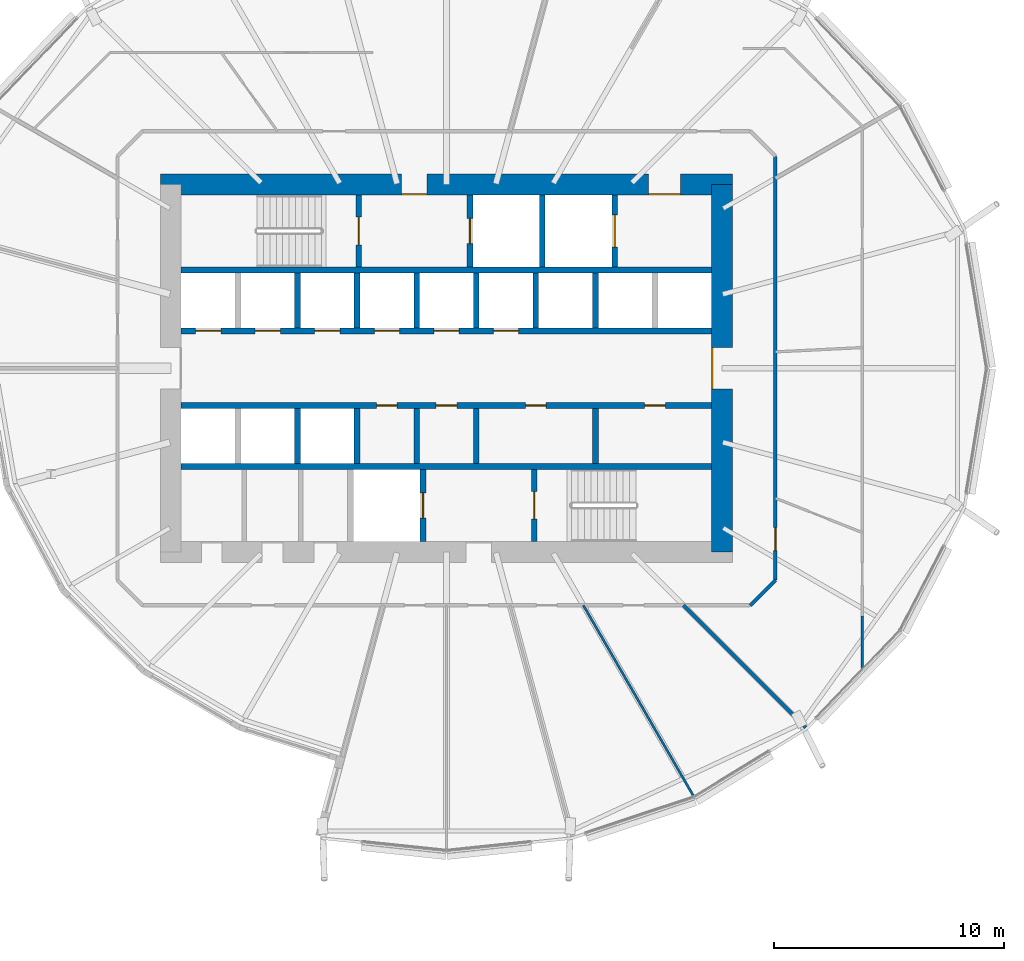
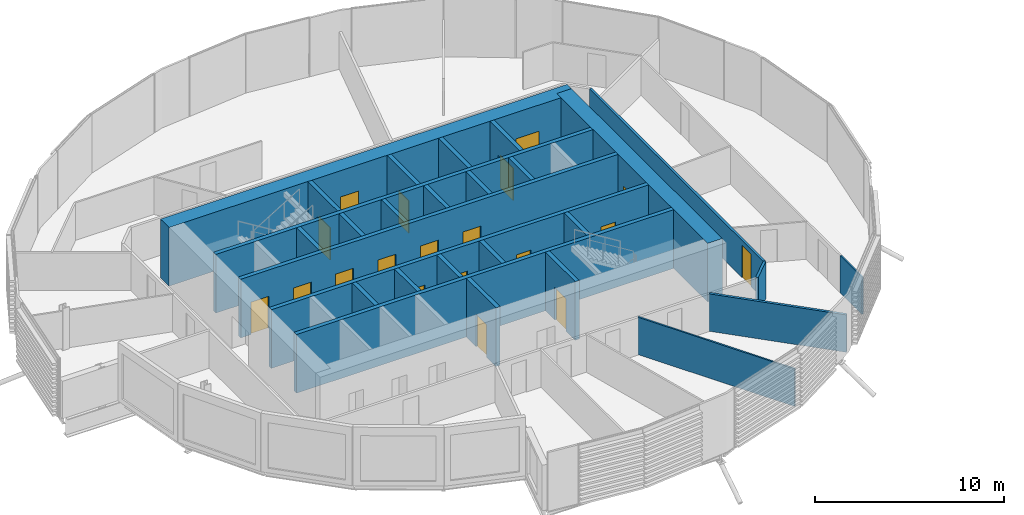
# One storey, part 21 of 38: 28 walls, 19 doors, 19 openings.
"""IFC4 building model written with IfcOpenShell, lengths in metres."""

from ifc_helpers import new_model, si_unit, direction, frame, frame_2d, origin, place, context, subcontext, project, spatial, rectangle, extrude, material, layer, layer_set, type_object, element, fill, save


model = new_model("IFC4")

# Units and contexts
model_context = context("Model", 3, precision=1e-05, world=origin(), true_north=direction((0.0, 1.0)))
body_context = subcontext(model_context, "Body", "Model", "MODEL_VIEW")
ifc_project = project(units=[si_unit("LENGTHUNIT", "METRE"), si_unit("AREAUNIT", "SQUARE_METRE"), si_unit("VOLUMEUNIT", "CUBIC_METRE"), si_unit("PLANEANGLEUNIT", "RADIAN"), si_unit("MASSUNIT", "GRAM", prefix="KILO")], contexts=[model_context])

# Site, building, storey
site_placement = place(None, origin())
site = spatial("IfcSite", under=ifc_project, at=site_placement, CompositionType="ELEMENT")
building_placement = place(site_placement, origin())
building = spatial("IfcBuilding", under=site, at=building_placement, Name="Rimbun Link Towers", CompositionType="ELEMENT")
storey_placement = place(building_placement, frame((0.0, 0.0, 68.0)))
storey = spatial("IfcBuildingStorey", under=building, at=storey_placement, Name="L16", CompositionType="ELEMENT", Elevation=68.0)

# Wall, openings, doors
ifc_material_1 = material(Name="Concrete C60/75", Category="concrete")
ifc_layer_1 = layer(ifc_material_1, 0.89990234375)
ifc_layer_set_1 = layer_set([ifc_layer_1], Name="Core shear wall 900")
wall_type_1 = type_object("IfcWallType", Name="Core shear wall 900", PredefinedType="SHEAR", material=ifc_layer_set_1)
wall_1_placement = place(storey_placement, frame((-44.199951171875, 8.0, 0.0), z_axis=(0.0, 0.0, 1.0), x_axis=(1.0, 0.0, 0.0)))
wall_1 = element("IfcWall", 1, at=wall_1_placement, inside=storey, type_object=wall_type_1, Name="L16 T1 core wall N", PredefinedType="SHEAR", context=body_context, shape_type="SweptSolid", body=[
    extrude(rectangle(XDim=24.89990234375, YDim=0.89990234375, at=frame_2d((12.449951171875, 0.0))), origin(), (0.0, 0.0, 1.0), 3.800048828125),
])
opening_1_placement = place(wall_1_placement, frame((10.5, 0.0, 0.0)))
opening_1 = element("IfcOpeningElement", 2, at=opening_1_placement, cuts=wall_1, Name="Opening C1DCF01N", PredefinedType="OPENING", context=body_context, shape_type="SweptSolid", body=[
    extrude(rectangle(XDim=1.10009765625, YDim=2.10009765625, at=frame_2d((0.550048828125, 1.050048828125))), frame((0.0, 0.4599609375, 0.0), z_axis=(0.0, -1.0, 0.0), x_axis=(1.0, 0.0, 0.0)), (0.0, 0.0, 1.0), 0.919921875),
])
opening_2_placement = place(wall_1_placement, frame((21.25, 0.0, 0.0)))
opening_2 = element("IfcOpeningElement", 3, at=opening_2_placement, cuts=wall_1, Name="Opening C1DSL02N", PredefinedType="OPENING", context=body_context, shape_type="SweptSolid", body=[
    extrude(rectangle(XDim=1.39990234375, YDim=2.10009765625, at=frame_2d((0.699951171875, 1.050048828125))), frame((0.0, 0.4599609375, 0.0), z_axis=(0.0, -1.0, 0.0), x_axis=(1.0, 0.0, 0.0)), (0.0, 0.0, 1.0), 0.919921875),
])
ifc_material_2 = material(Name="Steel fire door set", Category="steel")
door_type_1 = type_object("IfcDoorType", Name="Core fire door single", OperationType="SINGLE_SWING_LEFT", PredefinedType="DOOR", material=ifc_material_2)
door_1_placement = place(opening_1_placement, origin())
door_1 = element("IfcDoor", 4, at=door_1_placement, inside=storey, type_object=door_type_1, Name="L16 T1 firefighting lobby n door", OperationType="SINGLE_SWING_LEFT", OverallHeight=2.10009765625, OverallWidth=1.10009765625, PredefinedType="DOOR", context=body_context, shape_type="SweptSolid", body=[
    extrude(rectangle(XDim=1.10009765625, YDim=2.10009765625, at=frame_2d((0.550048828125, 1.050048828125))), frame((0.0, -0.39990234375, 0.0), z_axis=(0.0, -1.0, 0.0), x_axis=(1.0, 0.0, 0.0)), (0.0, 0.0, 1.0), 0.050048828125),
])
fill(opening_1, door_1)
ifc_material_3 = material(Name="Steel fire door set", Category="steel")
door_type_2 = type_object("IfcDoorType", Name="Service lobby door double", OperationType="DOUBLE_DOOR_SINGLE_SWING", PredefinedType="DOOR", material=ifc_material_3)
door_2_placement = place(opening_2_placement, origin())
door_2 = element("IfcDoor", 5, at=door_2_placement, inside=storey, type_object=door_type_2, Name="L16 T1 service lobby door", OperationType="DOUBLE_DOOR_SINGLE_SWING", OverallHeight=2.10009765625, OverallWidth=1.39990234375, PredefinedType="DOOR", context=body_context, shape_type="SweptSolid", body=[
    extrude(rectangle(XDim=1.39990234375, YDim=2.10009765625, at=frame_2d((0.699951171875, 1.050048828125))), frame((0.0, -0.39990234375, 0.0), z_axis=(0.0, -1.0, 0.0), x_axis=(1.0, 0.0, 0.0)), (0.0, 0.0, 1.0), 0.050048828125),
])
fill(opening_2, door_2)

# Wall, opening, door
wall_2_placement = place(storey_placement, frame((-19.75, -8.0, 0.0), z_axis=(0.0, 0.0, 1.0), x_axis=(0.0, 1.0, 0.0)))
wall_2 = element("IfcWall", 6, at=wall_2_placement, inside=storey, type_object=wall_type_1, Name="L16 T1 core wall E", PredefinedType="SHEAR", context=body_context, shape_type="SweptSolid", body=[
    extrude(rectangle(XDim=16.0, YDim=0.89990234375, at=frame_2d((8.0, 0.0))), origin(), (0.0, 0.0, 1.0), 3.800048828125),
])
opening_3_placement = place(wall_2_placement, frame((7.10009765625, 0.0, 0.0)))
opening_3 = element("IfcOpeningElement", 7, at=opening_3_placement, cuts=wall_2, Name="Opening C1DCL01E", PredefinedType="OPENING", context=body_context, shape_type="SweptSolid", body=[
    extrude(rectangle(XDim=1.800048828125, YDim=2.10009765625, at=frame_2d((0.89990234375, 1.050048828125))), frame((0.0, 0.4599609375, 0.0), z_axis=(0.0, -1.0, 0.0), x_axis=(1.0, 0.0, 0.0)), (0.0, 0.0, 1.0), 0.919921875),
])
ifc_material_4 = material(Name="Steel fire door set", Category="steel")
door_type_3 = type_object("IfcDoorType", Name="Core lobby door double", OperationType="DOUBLE_DOOR_SINGLE_SWING", PredefinedType="DOOR", material=ifc_material_4)
door_3_placement = place(opening_3_placement, origin())
door_3 = element("IfcDoor", 8, at=door_3_placement, inside=storey, type_object=door_type_3, Name="L16 T1 lift lobby door", OperationType="DOUBLE_DOOR_SINGLE_SWING", OverallHeight=2.10009765625, OverallWidth=1.800048828125, PredefinedType="DOOR", context=body_context, shape_type="SweptSolid", body=[
    extrude(rectangle(XDim=1.800048828125, YDim=2.10009765625, at=frame_2d((0.89990234375, 1.050048828125))), frame((0.0, 0.4501953125, 0.0), z_axis=(0.0, -1.0, 0.0), x_axis=(1.0, 0.0, 0.0)), (0.0, 0.0, 1.0), 0.050048828125),
])
fill(opening_3, door_3)

ifc_material_5 = material(Name="Plasterboard on steel stud, mineral wool", Category="steel")
ifc_layer_2 = layer(ifc_material_5, 0.14990234375)
ifc_layer_set_2 = layer_set([ifc_layer_2], Name="Corridor wall EI 30 150 mm")
wall_type_2 = type_object("IfcWallType", Name="Corridor wall EI 30 150 mm", PredefinedType="PARTITIONING", material=ifc_layer_set_2)
wall_3_placement = place(storey_placement, frame((-17.425048828125, 9.226806640625, 0.0), z_axis=(0.0, 0.0, 1.0), x_axis=(0.0, -1.0, 0.0)))
wall_3 = element("IfcWall", 9, at=wall_3_placement, inside=storey, type_object=wall_type_2, Name="Corridor wall EI 30 150 mm", PredefinedType="PARTITIONING", context=body_context, shape_type="SweptSolid", body=[
    extrude(rectangle(XDim=18.45361328125, YDim=0.14990234375, at=frame_2d((9.226806640625, 0.0))), origin(), (0.0, 0.0, 1.0), 2.419921875),
])
opening_4_placement = place(wall_3_placement, frame((16.169921875, 0.0, 0.0)))
opening_4 = element("IfcOpeningElement", 10, at=opening_4_placement, cuts=wall_3, Name="Opening D01", PredefinedType="OPENING", context=body_context, shape_type="SweptSolid", body=[
    extrude(rectangle(XDim=1.0, YDim=2.10009765625, at=frame_2d((0.5, 1.050048828125))), frame((0.0, 0.0849609375, 0.0), z_axis=(0.0, -1.0, 0.0), x_axis=(1.0, 0.0, 0.0)), (0.0, 0.0, 1.0), 0.169921875),
])
ifc_material_6 = material(Name="Fire-resisting timber door leaf", Category="wood")
door_type_4 = type_object("IfcDoorType", Name="Fire door FD30S 1000", OperationType="NOTDEFINED", PredefinedType="DOOR", material=ifc_material_6)
door_4_placement = place(opening_4_placement, origin())
door_4 = element("IfcDoor", 11, at=door_4_placement, inside=storey, type_object=door_type_4, Name="Fire door FD30S 1000 to Customer lobby", OperationType="SINGLE_SWING_LEFT", OverallHeight=2.10009765625, OverallWidth=1.0, PredefinedType="DOOR", context=body_context, shape_type="SweptSolid", body=[
    extrude(rectangle(XDim=1.0, YDim=2.10009765625, at=frame_2d((0.5, 1.050048828125))), frame((0.0, 0.02490234375, 0.0), z_axis=(0.0, -1.0, 0.0), x_axis=(1.0, 0.0, 0.0)), (0.0, 0.0, 1.0), 0.050048828125),
])
fill(opening_4, door_4)

# Walls
wall_4_placement = place(storey_placement, frame((-18.523193359375, -10.324951171875, 0.0), z_axis=(0.0, 0.0, 1.0), x_axis=(0.707106781187, 0.707106781187, 0.0)))
element("IfcWall", 12, at=wall_4_placement, inside=storey, type_object=wall_type_2, Name="Corridor wall EI 30 150 mm", PredefinedType="PARTITIONING", context=body_context, shape_type="SweptSolid", body=[
    extrude(rectangle(XDim=1.552978515625, YDim=0.14990234375, at=frame_2d((0.7763671875, 0.0))), origin(), (0.0, 0.0, 1.0), 2.419921875),
])
ifc_material_7 = material(Name="Plasterboard on steel stud", Category="steel")
ifc_layer_3 = layer(ifc_material_7, 0.10009765625)
ifc_layer_set_3 = layer_set([ifc_layer_3], Name="Plasterboard partition 100 mm")
wall_type_3 = type_object("IfcWallType", Name="Plasterboard partition 100 mm", PredefinedType="PARTITIONING", material=ifc_layer_set_3)
wall_5_placement = place(storey_placement, frame((-20.985107421875, -18.6455078125, 0.0), z_axis=(0.0, 0.0, 1.0), x_axis=(-0.499987144685, 0.866032825677, 0.0)))
element("IfcWall", 13, at=wall_5_placement, inside=storey, type_object=wall_type_3, Name="Plasterboard partition 100 mm", PredefinedType="PARTITIONING", context=body_context, shape_type="SweptSolid", body=[
    extrude(rectangle(XDim=9.607666015625, YDim=0.10009765625, at=frame_2d((4.8037109375, 0.0))), origin(), (0.0, 0.0, 1.0), 2.419921875),
])
wall_6_placement = place(storey_placement, frame((-13.64501953125, -13.084228515625, 0.0), z_axis=(0.0, 0.0, 1.0), x_axis=(0.0, 1.0, 0.0)))
element("IfcWall", 14, at=wall_6_placement, inside=storey, type_object=wall_type_3, Name="Plasterboard partition 100 mm", PredefinedType="PARTITIONING", context=body_context, shape_type="SweptSolid", body=[
    extrude(rectangle(XDim=2.291748046875, YDim=0.10009765625, at=frame_2d((1.14599609375, 0.0))), origin(), (0.0, 0.0, 1.0), 2.419921875),
])
ifc_material_8 = material(Name="Concrete C60/75", Category="concrete")
ifc_layer_4 = layer(ifc_material_8, 0.25)
ifc_layer_set_4 = layer_set([ifc_layer_4], Name="Shaft wall 250")
wall_type_4 = type_object("IfcWallType", Name="Shaft wall 250", PredefinedType="SHEAR", material=ifc_layer_set_4)
for number, where, z_axis, x_axis, name in (
    (15, (-43.300048828125, 4.27490234375, 0.0), (0.0, 0.0, 1.0), (1.0, 0.0, 0.0), "L16 T1 core wall BN"),
    (16, (-43.300048828125, -4.27490234375, 0.0), (0.0, 0.0, 1.0), (1.0, 0.0, 0.0), "L16 T1 core wall BS"),
):
    element("IfcWall", number, at=place(storey_placement, frame(where, z_axis=z_axis, x_axis=x_axis)), inside=storey, type_object=wall_type_4, Name=name, PredefinedType="SHEAR", context=body_context, shape_type="SweptSolid", body=[
        extrude(rectangle(XDim=23.10009765625, YDim=0.25, at=frame_2d((11.550048828125, 0.0))), origin(), (0.0, 0.0, 1.0), 3.800048828125),
    ])

# Wall, openings, doors
wall_7_placement = place(storey_placement, frame((-43.300048828125, 1.625, 0.0), z_axis=(0.0, 0.0, 1.0), x_axis=(1.0, 0.0, 0.0)))
wall_7 = element("IfcWall", 17, at=wall_7_placement, inside=storey, type_object=wall_type_4, Name="L16 T1 core wall FN", PredefinedType="SHEAR", context=body_context, shape_type="SweptSolid", body=[
    extrude(rectangle(XDim=23.10009765625, YDim=0.25, at=frame_2d((11.550048828125, 0.0))), origin(), (0.0, 0.0, 1.0), 3.800048828125),
])
opening_5_placement = place(wall_7_placement, frame((0.622314453125, 0.0, 0.0)))
opening_5 = element("IfcOpeningElement", 18, at=opening_5_placement, cuts=wall_7, Name="Opening LD-T1-LR1", PredefinedType="OPENING", context=body_context, shape_type="SweptSolid", body=[
    extrude(rectangle(XDim=1.10009765625, YDim=2.10009765625, at=frame_2d((0.550048828125, 1.050048828125))), frame((0.0, 0.135009765625, 0.0), z_axis=(0.0, -1.0, 0.0), x_axis=(1.0, 0.0, 0.0)), (0.0, 0.0, 1.0), 0.27001953125),
])
opening_6_placement = place(wall_7_placement, frame((3.216796875, 0.0, 0.0)))
opening_6 = element("IfcOpeningElement", 19, at=opening_6_placement, cuts=wall_7, Name="Opening LD-T1-LR2", PredefinedType="OPENING", context=body_context, shape_type="SweptSolid", body=[
    extrude(rectangle(XDim=1.10009765625, YDim=2.10009765625, at=frame_2d((0.550048828125, 1.050048828125))), frame((0.0, 0.135009765625, 0.0), z_axis=(0.0, -1.0, 0.0), x_axis=(1.0, 0.0, 0.0)), (0.0, 0.0, 1.0), 0.27001953125),
])
opening_7_placement = place(wall_7_placement, frame((5.81103515625, 0.0, 0.0)))
opening_7 = element("IfcOpeningElement", 20, at=opening_7_placement, cuts=wall_7, Name="Opening LD-T1-LR3", PredefinedType="OPENING", context=body_context, shape_type="SweptSolid", body=[
    extrude(rectangle(XDim=1.10009765625, YDim=2.10009765625, at=frame_2d((0.550048828125, 1.050048828125))), frame((0.0, 0.135009765625, 0.0), z_axis=(0.0, -1.0, 0.0), x_axis=(1.0, 0.0, 0.0)), (0.0, 0.0, 1.0), 0.27001953125),
])
opening_8_placement = place(wall_7_placement, frame((8.405517578125, 0.0, 0.0)))
opening_8 = element("IfcOpeningElement", 21, at=opening_8_placement, cuts=wall_7, Name="Opening LD-T1-LR4", PredefinedType="OPENING", context=body_context, shape_type="SweptSolid", body=[
    extrude(rectangle(XDim=1.10009765625, YDim=2.10009765625, at=frame_2d((0.550048828125, 1.050048828125))), frame((0.0, 0.135009765625, 0.0), z_axis=(0.0, -1.0, 0.0), x_axis=(1.0, 0.0, 0.0)), (0.0, 0.0, 1.0), 0.27001953125),
])
opening_9_placement = place(wall_7_placement, frame((11.0, 0.0, 0.0)))
opening_9 = element("IfcOpeningElement", 22, at=opening_9_placement, cuts=wall_7, Name="Opening LD-T1-LR5", PredefinedType="OPENING", context=body_context, shape_type="SweptSolid", body=[
    extrude(rectangle(XDim=1.10009765625, YDim=2.10009765625, at=frame_2d((0.550048828125, 1.050048828125))), frame((0.0, 0.135009765625, 0.0), z_axis=(0.0, -1.0, 0.0), x_axis=(1.0, 0.0, 0.0)), (0.0, 0.0, 1.0), 0.27001953125),
])
opening_10_placement = place(wall_7_placement, frame((13.594482421875, 0.0, 0.0)))
opening_10 = element("IfcOpeningElement", 23, at=opening_10_placement, cuts=wall_7, Name="Opening LD-T1-LR6", PredefinedType="OPENING", context=body_context, shape_type="SweptSolid", body=[
    extrude(rectangle(XDim=1.10009765625, YDim=2.10009765625, at=frame_2d((0.550048828125, 1.050048828125))), frame((0.0, 0.135009765625, 0.0), z_axis=(0.0, -1.0, 0.0), x_axis=(1.0, 0.0, 0.0)), (0.0, 0.0, 1.0), 0.27001953125),
])
ifc_material_9 = material(Name="Stainless steel grade 316", Category="steel")
door_type_5 = type_object("IfcDoorType", Name="Lift landing door", OperationType="DOUBLE_DOOR_SLIDING", PredefinedType="DOOR", material=ifc_material_9)
door_5_placement = place(opening_5_placement, origin())
door_5 = element("IfcDoor", 24, at=door_5_placement, inside=storey, type_object=door_type_5, Name="L16 T1 lift LR1 landing door", OperationType="DOUBLE_DOOR_SLIDING", OverallHeight=2.10009765625, OverallWidth=1.10009765625, PredefinedType="DOOR", context=body_context, shape_type="SweptSolid", body=[
    extrude(rectangle(XDim=1.10009765625, YDim=2.10009765625, at=frame_2d((0.550048828125, 1.050048828125))), frame((0.0, 0.02490234375, 0.0), z_axis=(0.0, -1.0, 0.0), x_axis=(1.0, 0.0, 0.0)), (0.0, 0.0, 1.0), 0.050048828125),
])
fill(opening_5, door_5)
door_6_placement = place(opening_6_placement, origin())
door_6 = element("IfcDoor", 25, at=door_6_placement, inside=storey, type_object=door_type_5, Name="L16 T1 lift LR2 landing door", OperationType="DOUBLE_DOOR_SLIDING", OverallHeight=2.10009765625, OverallWidth=1.10009765625, PredefinedType="DOOR", context=body_context, shape_type="SweptSolid", body=[
    extrude(rectangle(XDim=1.10009765625, YDim=2.10009765625, at=frame_2d((0.550048828125, 1.050048828125))), frame((0.0, 0.02490234375, 0.0), z_axis=(0.0, -1.0, 0.0), x_axis=(1.0, 0.0, 0.0)), (0.0, 0.0, 1.0), 0.050048828125),
])
fill(opening_6, door_6)
door_7_placement = place(opening_7_placement, origin())
door_7 = element("IfcDoor", 26, at=door_7_placement, inside=storey, type_object=door_type_5, Name="L16 T1 lift LR3 landing door", OperationType="DOUBLE_DOOR_SLIDING", OverallHeight=2.10009765625, OverallWidth=1.10009765625, PredefinedType="DOOR", context=body_context, shape_type="SweptSolid", body=[
    extrude(rectangle(XDim=1.10009765625, YDim=2.10009765625, at=frame_2d((0.550048828125, 1.050048828125))), frame((0.0, 0.02490234375, 0.0), z_axis=(0.0, -1.0, 0.0), x_axis=(1.0, 0.0, 0.0)), (0.0, 0.0, 1.0), 0.050048828125),
])
fill(opening_7, door_7)
door_8_placement = place(opening_8_placement, origin())
door_8 = element("IfcDoor", 27, at=door_8_placement, inside=storey, type_object=door_type_5, Name="L16 T1 lift LR4 landing door", OperationType="DOUBLE_DOOR_SLIDING", OverallHeight=2.10009765625, OverallWidth=1.10009765625, PredefinedType="DOOR", context=body_context, shape_type="SweptSolid", body=[
    extrude(rectangle(XDim=1.10009765625, YDim=2.10009765625, at=frame_2d((0.550048828125, 1.050048828125))), frame((0.0, 0.02490234375, 0.0), z_axis=(0.0, -1.0, 0.0), x_axis=(1.0, 0.0, 0.0)), (0.0, 0.0, 1.0), 0.050048828125),
])
fill(opening_8, door_8)
door_9_placement = place(opening_9_placement, origin())
door_9 = element("IfcDoor", 28, at=door_9_placement, inside=storey, type_object=door_type_5, Name="L16 T1 lift LR5 landing door", OperationType="DOUBLE_DOOR_SLIDING", OverallHeight=2.10009765625, OverallWidth=1.10009765625, PredefinedType="DOOR", context=body_context, shape_type="SweptSolid", body=[
    extrude(rectangle(XDim=1.10009765625, YDim=2.10009765625, at=frame_2d((0.550048828125, 1.050048828125))), frame((0.0, 0.02490234375, 0.0), z_axis=(0.0, -1.0, 0.0), x_axis=(1.0, 0.0, 0.0)), (0.0, 0.0, 1.0), 0.050048828125),
])
fill(opening_9, door_9)
door_10_placement = place(opening_10_placement, origin())
door_10 = element("IfcDoor", 29, at=door_10_placement, inside=storey, type_object=door_type_5, Name="L16 T1 lift LR6 landing door", OperationType="DOUBLE_DOOR_SLIDING", OverallHeight=2.10009765625, OverallWidth=1.10009765625, PredefinedType="DOOR", context=body_context, shape_type="SweptSolid", body=[
    extrude(rectangle(XDim=1.10009765625, YDim=2.10009765625, at=frame_2d((0.550048828125, 1.050048828125))), frame((0.0, 0.02490234375, 0.0), z_axis=(0.0, -1.0, 0.0), x_axis=(1.0, 0.0, 0.0)), (0.0, 0.0, 1.0), 0.050048828125),
])
fill(opening_10, door_10)

wall_8_placement = place(storey_placement, frame((-43.300048828125, -1.625, 0.0), z_axis=(0.0, 0.0, 1.0), x_axis=(1.0, 0.0, 0.0)))
wall_8 = element("IfcWall", 30, at=wall_8_placement, inside=storey, type_object=wall_type_4, Name="L16 T1 core wall FS", PredefinedType="SHEAR", context=body_context, shape_type="SweptSolid", body=[
    extrude(rectangle(XDim=23.10009765625, YDim=0.25, at=frame_2d((11.550048828125, 0.0))), origin(), (0.0, 0.0, 1.0), 3.800048828125),
])
opening_11_placement = place(wall_8_placement, frame((8.505615234375, 0.0, 0.0)))
opening_11 = element("IfcOpeningElement", 31, at=opening_11_placement, cuts=wall_8, Name="Opening C1DRS01FS", PredefinedType="OPENING", context=body_context, shape_type="SweptSolid", body=[
    extrude(rectangle(XDim=0.89990234375, YDim=2.10009765625, at=frame_2d((0.449951171875, 1.050048828125))), frame((0.0, 0.135009765625, 0.0), z_axis=(0.0, -1.0, 0.0), x_axis=(1.0, 0.0, 0.0)), (0.0, 0.0, 1.0), 0.27001953125),
])
opening_12_placement = place(wall_8_placement, frame((11.10009765625, 0.0, 0.0)))
opening_12 = element("IfcOpeningElement", 32, at=opening_12_placement, cuts=wall_8, Name="Opening C1DRS02FS", PredefinedType="OPENING", context=body_context, shape_type="SweptSolid", body=[
    extrude(rectangle(XDim=0.89990234375, YDim=2.10009765625, at=frame_2d((0.449951171875, 1.050048828125))), frame((0.0, 0.135009765625, 0.0), z_axis=(0.0, -1.0, 0.0), x_axis=(1.0, 0.0, 0.0)), (0.0, 0.0, 1.0), 0.27001953125),
])
opening_13_placement = place(wall_8_placement, frame((14.99169921875, 0.0, 0.0)))
opening_13 = element("IfcOpeningElement", 33, at=opening_13_placement, cuts=wall_8, Name="Opening C1DRS03FS", PredefinedType="OPENING", context=body_context, shape_type="SweptSolid", body=[
    extrude(rectangle(XDim=0.89990234375, YDim=2.10009765625, at=frame_2d((0.449951171875, 1.050048828125))), frame((0.0, 0.135009765625, 0.0), z_axis=(0.0, -1.0, 0.0), x_axis=(1.0, 0.0, 0.0)), (0.0, 0.0, 1.0), 0.27001953125),
])
opening_14_placement = place(wall_8_placement, frame((20.1806640625, 0.0, 0.0)))
opening_14 = element("IfcOpeningElement", 34, at=opening_14_placement, cuts=wall_8, Name="Opening C1DRS04FS", PredefinedType="OPENING", context=body_context, shape_type="SweptSolid", body=[
    extrude(rectangle(XDim=0.89990234375, YDim=2.10009765625, at=frame_2d((0.449951171875, 1.050048828125))), frame((0.0, 0.135009765625, 0.0), z_axis=(0.0, -1.0, 0.0), x_axis=(1.0, 0.0, 0.0)), (0.0, 0.0, 1.0), 0.27001953125),
])
ifc_material_10 = material(Name="Steel fire door set", Category="steel")
door_type_6 = type_object("IfcDoorType", Name="Core riser door", OperationType="SINGLE_SWING_LEFT", PredefinedType="DOOR", material=ifc_material_10)
door_11_placement = place(opening_11_placement, origin())
door_11 = element("IfcDoor", 35, at=door_11_placement, inside=storey, type_object=door_type_6, Name="L16 T1 pantry door", OperationType="SINGLE_SWING_LEFT", OverallHeight=2.10009765625, OverallWidth=0.89990234375, PredefinedType="DOOR", context=body_context, shape_type="SweptSolid", body=[
    extrude(rectangle(XDim=0.89990234375, YDim=2.10009765625, at=frame_2d((0.449951171875, 1.050048828125))), frame((0.0, 0.02490234375, 0.0), z_axis=(0.0, -1.0, 0.0), x_axis=(1.0, 0.0, 0.0)), (0.0, 0.0, 1.0), 0.050048828125),
])
fill(opening_11, door_11)
door_12_placement = place(opening_12_placement, origin())
door_12 = element("IfcDoor", 36, at=door_12_placement, inside=storey, type_object=door_type_6, Name="L16 T1 stationery store door", OperationType="SINGLE_SWING_LEFT", OverallHeight=2.10009765625, OverallWidth=0.89990234375, PredefinedType="DOOR", context=body_context, shape_type="SweptSolid", body=[
    extrude(rectangle(XDim=0.89990234375, YDim=2.10009765625, at=frame_2d((0.449951171875, 1.050048828125))), frame((0.0, 0.02490234375, 0.0), z_axis=(0.0, -1.0, 0.0), x_axis=(1.0, 0.0, 0.0)), (0.0, 0.0, 1.0), 0.050048828125),
])
fill(opening_12, door_12)
door_13_placement = place(opening_13_placement, origin())
door_13 = element("IfcDoor", 37, at=door_13_placement, inside=storey, type_object=door_type_6, Name="L16 T1 server room door", OperationType="SINGLE_SWING_LEFT", OverallHeight=2.10009765625, OverallWidth=0.89990234375, PredefinedType="DOOR", context=body_context, shape_type="SweptSolid", body=[
    extrude(rectangle(XDim=0.89990234375, YDim=2.10009765625, at=frame_2d((0.449951171875, 1.050048828125))), frame((0.0, 0.02490234375, 0.0), z_axis=(0.0, -1.0, 0.0), x_axis=(1.0, 0.0, 0.0)), (0.0, 0.0, 1.0), 0.050048828125),
])
fill(opening_13, door_13)
door_14_placement = place(opening_14_placement, origin())
door_14 = element("IfcDoor", 38, at=door_14_placement, inside=storey, type_object=door_type_6, Name="L16 T1 print room door", OperationType="SINGLE_SWING_LEFT", OverallHeight=2.10009765625, OverallWidth=0.89990234375, PredefinedType="DOOR", context=body_context, shape_type="SweptSolid", body=[
    extrude(rectangle(XDim=0.89990234375, YDim=2.10009765625, at=frame_2d((0.449951171875, 1.050048828125))), frame((0.0, 0.02490234375, 0.0), z_axis=(0.0, -1.0, 0.0), x_axis=(1.0, 0.0, 0.0)), (0.0, 0.0, 1.0), 0.050048828125),
])
fill(opening_14, door_14)

# Walls
for number, where, z_axis, x_axis, name in (
    (39, (-38.236083984375, 1.75, 0.0), (0.0, 0.0, 1.0), (0.0, 1.0, 0.0), "L16 T1 core wall DN1"),
    (40, (-35.6416015625, 1.75, 0.0), (0.0, 0.0, 1.0), (0.0, 1.0, 0.0), "L16 T1 core wall DN2"),
    (41, (-33.047119140625, 1.75, 0.0), (0.0, 0.0, 1.0), (0.0, 1.0, 0.0), "L16 T1 core wall DN3"),
    (42, (-30.452880859375, 1.75, 0.0), (0.0, 0.0, 1.0), (0.0, 1.0, 0.0), "L16 T1 core wall DN4"),
    (43, (-27.8583984375, 1.75, 0.0), (0.0, 0.0, 1.0), (0.0, 1.0, 0.0), "L16 T1 core wall DN5"),
    (44, (-25.263916015625, 1.75, 0.0), (0.0, 0.0, 1.0), (0.0, 1.0, 0.0), "L16 T1 core wall DN6"),
    (45, (-38.236083984375, -4.14990234375, 0.0), (0.0, 0.0, 1.0), (0.0, 1.0, 0.0), "L16 T1 core wall DS1"),
    (46, (-35.6416015625, -4.14990234375, 0.0), (0.0, 0.0, 1.0), (0.0, 1.0, 0.0), "L16 T1 core wall DS2"),
    (47, (-33.047119140625, -4.14990234375, 0.0), (0.0, 0.0, 1.0), (0.0, 1.0, 0.0), "L16 T1 core wall DS3"),
    (48, (-30.452880859375, -4.14990234375, 0.0), (0.0, 0.0, 1.0), (0.0, 1.0, 0.0), "L16 T1 core wall DS4"),
    (49, (-25.263916015625, -4.14990234375, 0.0), (0.0, 0.0, 1.0), (0.0, 1.0, 0.0), "L16 T1 core wall DS6"),
):
    element("IfcWall", number, at=place(storey_placement, frame(where, z_axis=z_axis, x_axis=x_axis)), inside=storey, type_object=wall_type_4, Name=name, PredefinedType="SHEAR", context=body_context, shape_type="SweptSolid", body=[
        extrude(rectangle(XDim=2.39990234375, YDim=0.25, at=frame_2d((1.199951171875, 0.0))), origin(), (0.0, 0.0, 1.0), 3.800048828125),
    ])

# Wall, opening, door
wall_9_placement = place(storey_placement, frame((-35.574951171875, 4.39990234375, 0.0), z_axis=(0.0, 0.0, 1.0), x_axis=(0.0, 1.0, 0.0)))
wall_9 = element("IfcWall", 50, at=wall_9_placement, inside=storey, type_object=wall_type_4, Name="L16 T1 core wall A1", PredefinedType="SHEAR", context=body_context, shape_type="SweptSolid", body=[
    extrude(rectangle(XDim=3.150146484375, YDim=0.25, at=frame_2d((1.5751953125, 0.0))), origin(), (0.0, 0.0, 1.0), 3.800048828125),
])
opening_15_placement = place(wall_9_placement, frame((0.97509765625, 0.0, 0.0)))
opening_15 = element("IfcOpeningElement", 51, at=opening_15_placement, cuts=wall_9, Name="Opening C1DST01A1", PredefinedType="OPENING", context=body_context, shape_type="SweptSolid", body=[
    extrude(rectangle(XDim=1.199951171875, YDim=2.10009765625, at=frame_2d((0.60009765625, 1.050048828125))), frame((0.0, 0.135009765625, 0.0), z_axis=(0.0, -1.0, 0.0), x_axis=(1.0, 0.0, 0.0)), (0.0, 0.0, 1.0), 0.27001953125),
])
ifc_material_11 = material(Name="Steel fire door set", Category="steel")
door_type_7 = type_object("IfcDoorType", Name="Stair door", OperationType="SINGLE_SWING_LEFT", PredefinedType="DOOR", material=ifc_material_11)
door_15_placement = place(opening_15_placement, origin())
door_15 = element("IfcDoor", 52, at=door_15_placement, inside=storey, type_object=door_type_7, Name="L16 T1 stair a door", OperationType="SINGLE_SWING_LEFT", OverallHeight=2.10009765625, OverallWidth=1.199951171875, PredefinedType="DOOR", context=body_context, shape_type="SweptSolid", body=[
    extrude(rectangle(XDim=1.199951171875, YDim=2.10009765625, at=frame_2d((0.60009765625, 1.050048828125))), frame((0.0, 0.02490234375, 0.0), z_axis=(0.0, -1.0, 0.0), x_axis=(1.0, 0.0, 0.0)), (0.0, 0.0, 1.0), 0.050048828125),
])
fill(opening_15, door_15)

wall_10_placement = place(storey_placement, frame((-30.72509765625, 4.39990234375, 0.0), z_axis=(0.0, 0.0, 1.0), x_axis=(0.0, 1.0, 0.0)))
wall_10 = element("IfcWall", 53, at=wall_10_placement, inside=storey, type_object=wall_type_4, Name="L16 T1 core wall A2", PredefinedType="SHEAR", context=body_context, shape_type="SweptSolid", body=[
    extrude(rectangle(XDim=3.150146484375, YDim=0.25, at=frame_2d((1.5751953125, 0.0))), origin(), (0.0, 0.0, 1.0), 3.800048828125),
])
opening_16_placement = place(wall_10_placement, frame((1.02490234375, 0.0, 0.0)))
opening_16 = element("IfcOpeningElement", 54, at=opening_16_placement, cuts=wall_10, Name="Opening LD-T1-FF1", PredefinedType="OPENING", context=body_context, shape_type="SweptSolid", body=[
    extrude(rectangle(XDim=1.10009765625, YDim=2.10009765625, at=frame_2d((0.550048828125, 1.050048828125))), frame((0.0, 0.135009765625, 0.0), z_axis=(0.0, -1.0, 0.0), x_axis=(1.0, 0.0, 0.0)), (0.0, 0.0, 1.0), 0.27001953125),
])
door_16_placement = place(opening_16_placement, origin())
door_16 = element("IfcDoor", 55, at=door_16_placement, inside=storey, type_object=door_type_5, Name="L16 T1 lift FF1 landing door", OperationType="DOUBLE_DOOR_SLIDING", OverallHeight=2.10009765625, OverallWidth=1.10009765625, PredefinedType="DOOR", context=body_context, shape_type="SweptSolid", body=[
    extrude(rectangle(XDim=1.10009765625, YDim=2.10009765625, at=frame_2d((0.550048828125, 1.050048828125))), frame((0.0, 0.02490234375, 0.0), z_axis=(0.0, -1.0, 0.0), x_axis=(1.0, 0.0, 0.0)), (0.0, 0.0, 1.0), 0.050048828125),
])
fill(opening_16, door_16)

# Wall
wall_11_placement = place(storey_placement, frame((-27.574951171875, 4.39990234375, 0.0), z_axis=(0.0, 0.0, 1.0), x_axis=(0.0, 1.0, 0.0)))
element("IfcWall", 56, at=wall_11_placement, inside=storey, type_object=wall_type_4, Name="L16 T1 core wall A3", PredefinedType="SHEAR", context=body_context, shape_type="SweptSolid", body=[
    extrude(rectangle(XDim=3.150146484375, YDim=0.25, at=frame_2d((1.5751953125, 0.0))), origin(), (0.0, 0.0, 1.0), 3.800048828125),
])

# Wall, opening, door
wall_12_placement = place(storey_placement, frame((-24.425048828125, 4.39990234375, 0.0), z_axis=(0.0, 0.0, 1.0), x_axis=(0.0, 1.0, 0.0)))
wall_12 = element("IfcWall", 57, at=wall_12_placement, inside=storey, type_object=wall_type_4, Name="L16 T1 core wall A4", PredefinedType="SHEAR", context=body_context, shape_type="SweptSolid", body=[
    extrude(rectangle(XDim=3.150146484375, YDim=0.25, at=frame_2d((1.5751953125, 0.0))), origin(), (0.0, 0.0, 1.0), 3.800048828125),
])
opening_17_placement = place(wall_12_placement, frame((0.875, 0.0, 0.0)))
opening_17 = element("IfcOpeningElement", 58, at=opening_17_placement, cuts=wall_12, Name="Opening LD-T1-GL1", PredefinedType="OPENING", context=body_context, shape_type="SweptSolid", body=[
    extrude(rectangle(XDim=1.39990234375, YDim=2.10009765625, at=frame_2d((0.699951171875, 1.050048828125))), frame((0.0, 0.135009765625, 0.0), z_axis=(0.0, -1.0, 0.0), x_axis=(1.0, 0.0, 0.0)), (0.0, 0.0, 1.0), 0.27001953125),
])
ifc_material_12 = material(Name="Stainless steel grade 316", Category="steel")
door_type_8 = type_object("IfcDoorType", Name="Goods lift landing door", OperationType="DOUBLE_DOOR_SLIDING", PredefinedType="DOOR", material=ifc_material_12)
door_17_placement = place(opening_17_placement, origin())
door_17 = element("IfcDoor", 59, at=door_17_placement, inside=storey, type_object=door_type_8, Name="L16 T1 lift GL1 landing door", OperationType="DOUBLE_DOOR_SLIDING", OverallHeight=2.10009765625, OverallWidth=1.39990234375, PredefinedType="DOOR", context=body_context, shape_type="SweptSolid", body=[
    extrude(rectangle(XDim=1.39990234375, YDim=2.10009765625, at=frame_2d((0.699951171875, 1.050048828125))), frame((0.0, 0.02490234375, 0.0), z_axis=(0.0, -1.0, 0.0), x_axis=(1.0, 0.0, 0.0)), (0.0, 0.0, 1.0), 0.050048828125),
])
fill(opening_17, door_17)

wall_13_placement = place(storey_placement, frame((-27.925048828125, -4.39990234375, 0.0), z_axis=(0.0, 0.0, 1.0), x_axis=(0.0, -1.0, 0.0)))
wall_13 = element("IfcWall", 60, at=wall_13_placement, inside=storey, type_object=wall_type_4, Name="L16 T1 core wall B1", PredefinedType="SHEAR", context=body_context, shape_type="SweptSolid", body=[
    extrude(rectangle(XDim=3.150146484375, YDim=0.25, at=frame_2d((1.5751953125, 0.0))), origin(), (0.0, 0.0, 1.0), 3.800048828125),
])
opening_18_placement = place(wall_13_placement, frame((0.97509765625, 0.0, 0.0)))
opening_18 = element("IfcOpeningElement", 61, at=opening_18_placement, cuts=wall_13, Name="Opening C1DST01B1", PredefinedType="OPENING", context=body_context, shape_type="SweptSolid", body=[
    extrude(rectangle(XDim=1.199951171875, YDim=2.10009765625, at=frame_2d((0.60009765625, 1.050048828125))), frame((0.0, 0.135009765625, 0.0), z_axis=(0.0, -1.0, 0.0), x_axis=(1.0, 0.0, 0.0)), (0.0, 0.0, 1.0), 0.27001953125),
])
door_18_placement = place(opening_18_placement, origin())
door_18 = element("IfcDoor", 62, at=door_18_placement, inside=storey, type_object=door_type_7, Name="L16 T1 stair b door", OperationType="SINGLE_SWING_RIGHT", OverallHeight=2.10009765625, OverallWidth=1.199951171875, PredefinedType="DOOR", context=body_context, shape_type="SweptSolid", body=[
    extrude(rectangle(XDim=1.199951171875, YDim=2.10009765625, at=frame_2d((0.60009765625, 1.050048828125))), frame((0.0, 0.02490234375, 0.0), z_axis=(0.0, -1.0, 0.0), x_axis=(1.0, 0.0, 0.0)), (0.0, 0.0, 1.0), 0.050048828125),
])
fill(opening_18, door_18)

wall_14_placement = place(storey_placement, frame((-32.77490234375, -4.39990234375, 0.0), z_axis=(0.0, 0.0, 1.0), x_axis=(0.0, -1.0, 0.0)))
wall_14 = element("IfcWall", 63, at=wall_14_placement, inside=storey, type_object=wall_type_4, Name="L16 T1 core wall B2", PredefinedType="SHEAR", context=body_context, shape_type="SweptSolid", body=[
    extrude(rectangle(XDim=3.150146484375, YDim=0.25, at=frame_2d((1.5751953125, 0.0))), origin(), (0.0, 0.0, 1.0), 3.800048828125),
])
opening_19_placement = place(wall_14_placement, frame((1.02490234375, 0.0, 0.0)))
opening_19 = element("IfcOpeningElement", 64, at=opening_19_placement, cuts=wall_14, Name="Opening LD-T1-FF2", PredefinedType="OPENING", context=body_context, shape_type="SweptSolid", body=[
    extrude(rectangle(XDim=1.10009765625, YDim=2.10009765625, at=frame_2d((0.550048828125, 1.050048828125))), frame((0.0, 0.135009765625, 0.0), z_axis=(0.0, -1.0, 0.0), x_axis=(1.0, 0.0, 0.0)), (0.0, 0.0, 1.0), 0.27001953125),
])
door_19_placement = place(opening_19_placement, origin())
door_19 = element("IfcDoor", 65, at=door_19_placement, inside=storey, type_object=door_type_5, Name="L16 T1 lift FF2 landing door", OperationType="DOUBLE_DOOR_SLIDING", OverallHeight=2.10009765625, OverallWidth=1.10009765625, PredefinedType="DOOR", context=body_context, shape_type="SweptSolid", body=[
    extrude(rectangle(XDim=1.10009765625, YDim=2.10009765625, at=frame_2d((0.550048828125, 1.050048828125))), frame((0.0, 0.02490234375, 0.0), z_axis=(0.0, -1.0, 0.0), x_axis=(1.0, 0.0, 0.0)), (0.0, 0.0, 1.0), 0.050048828125),
])
fill(opening_19, door_19)

# Wall
ifc_material_13 = material(Name="Plasterboard on steel stud, mineral wool", Category="steel")
ifc_layer_5 = layer(ifc_material_13, 0.14990234375)
ifc_layer_set_5 = layer_set([ifc_layer_5], Name="Tenancy separation wall EI 60 150 mm")
wall_type_5 = type_object("IfcWallType", Name="Tenancy separation wall EI 60 150 mm", PredefinedType="PARTITIONING", material=ifc_layer_set_5)
wall_15_placement = place(storey_placement, frame((-21.425048828125, -10.324951171875, 0.0), z_axis=(0.0, 0.0, 1.0), x_axis=(0.707106781187, -0.707106781187, 0.0)))
element("IfcWall", 66, at=wall_15_placement, inside=storey, type_object=wall_type_5, Name="Tenancy separation wall EI 60 150 mm", PredefinedType="PARTITIONING", context=body_context, shape_type="SweptSolid", body=[
    extrude(rectangle(XDim=7.527587890625, YDim=0.14990234375, at=frame_2d((3.763671875, 0.0))), origin(), (0.0, 0.0, 1.0), 2.419921875),
])

save(model, "model.ifc")
